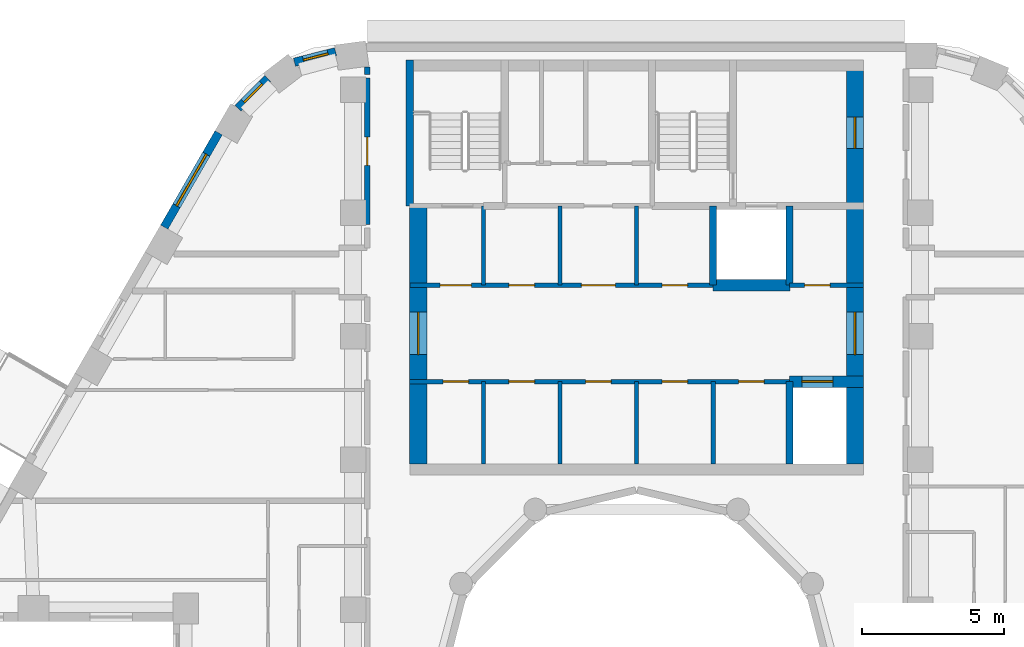
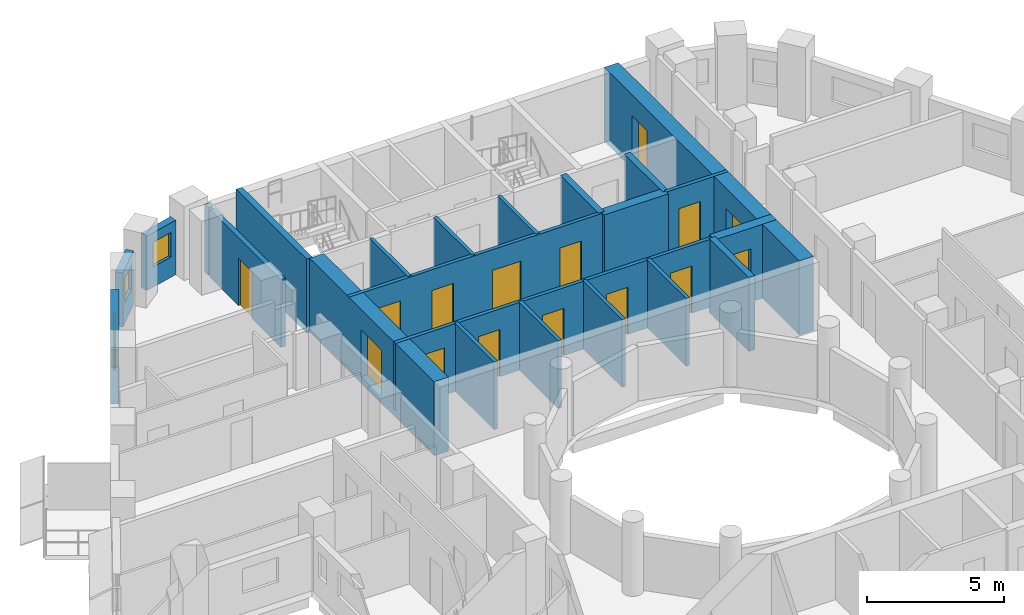
# One storey, part 7 of 13: 23 walls, 15 doors, 3 windows, 18 openings.
"""IFC4 building model written with IfcOpenShell, lengths in metres."""

from ifc_helpers import new_model, si_unit, direction, frame, frame_2d, origin, place, context, subcontext, project, spatial, rectangle, extrude, material, layer, layer_set, type_object, element, fill, save


model = new_model("IFC4")

# Units and contexts
model_context = context("Model", 3, precision=1e-05, world=origin(), true_north=direction((0.0, 1.0)))
body_context = subcontext(model_context, "Body", "Model", "MODEL_VIEW")
ifc_project = project(units=[si_unit("LENGTHUNIT", "METRE"), si_unit("AREAUNIT", "SQUARE_METRE"), si_unit("VOLUMEUNIT", "CUBIC_METRE"), si_unit("PLANEANGLEUNIT", "RADIAN"), si_unit("MASSUNIT", "GRAM", prefix="KILO")], contexts=[model_context])

# Site, building, storey
site_placement = place(None, origin())
site = spatial("IfcSite", under=ifc_project, at=site_placement, CompositionType="ELEMENT")
building_placement = place(site_placement, origin())
building = spatial("IfcBuilding", under=site, at=building_placement, Name="Nakaniwa Court", CompositionType="ELEMENT")
storey_placement = place(building_placement, frame((0.0, 0.0, 246.0)))
storey = spatial("IfcBuildingStorey", under=building, at=storey_placement, Name="L64", CompositionType="ELEMENT", Elevation=246.0)

# Wall, opening, door
ifc_material_1 = material(Name="Acoustic double stud partition")
ifc_layer_1 = layer(ifc_material_1, 0.199951171875)
ifc_layer_set_1 = layer_set([ifc_layer_1], Name="Acoustic double stud partition")
wall_type_1 = type_object("IfcWallType", Name="Acoustic double stud partition 200", PredefinedType="PARTITIONING", material=ifc_layer_set_1)
wall_1_placement = place(storey_placement, frame((70.5, 96.237060546875, 0.0), z_axis=(0.0, 0.0, 1.0), x_axis=(0.0, 1.0, 0.0)))
wall_1 = element("IfcWall", 1, at=wall_1_placement, inside=storey, type_object=wall_type_1, Name="Partition PW-099", PredefinedType="PARTITIONING", context=body_context, shape_type="SweptSolid", body=[
    extrude(rectangle(XDim=5.176025390625, YDim=0.199951171875, at=frame_2d((2.587890625, 0.0))), origin(), (0.0, 0.0, 1.0), 3.02490234375),
])
opening_1_placement = place(wall_1_placement, frame((2.087890625, 0.0, 0.0)))
opening_1 = element("IfcOpeningElement", 2, at=opening_1_placement, cuts=wall_1, Name="Opening D-02-06", PredefinedType="OPENING", context=body_context, shape_type="SweptSolid", body=[
    extrude(rectangle(XDim=1.0, YDim=2.10009765625, at=frame_2d((0.5, 1.050048828125))), frame((0.0, 0.10986328125, 0.0), z_axis=(0.0, -1.0, 0.0), x_axis=(1.0, 0.0, 0.0)), (0.0, 0.0, 1.0), 0.219970703125),
])
ifc_material_2 = material(Name="Solid core timber door set, black veneer", Category="wood")
door_type_1 = type_object("IfcDoorType", Name="Internal door 1000", OperationType="NOTDEFINED", PredefinedType="DOOR", material=ifc_material_2)
door_1_placement = place(opening_1_placement, origin())
door_1 = element("IfcDoor", 3, at=door_1_placement, inside=storey, type_object=door_type_1, Name="Door D-02-06 L64-062", OperationType="SINGLE_SWING_LEFT", OverallHeight=2.10009765625, OverallWidth=1.0, PredefinedType="DOOR", context=body_context, shape_type="SweptSolid", body=[
    extrude(rectangle(XDim=1.0, YDim=2.10009765625, at=frame_2d((0.5, 1.050048828125))), frame((0.0, 0.02490234375, 0.0), z_axis=(0.0, -1.0, 0.0), x_axis=(1.0, 0.0, 0.0)), (0.0, 0.0, 1.0), 0.050048828125),
])
fill(opening_1, door_1)

# Wall
wall_2_placement = place(storey_placement, frame((70.5, 101.527099609375, 0.0), z_axis=(0.0, 0.0, 1.0), x_axis=(0.0, 1.0, 0.0)))
element("IfcWall", 4, at=wall_2_placement, inside=storey, type_object=wall_type_1, Name="Partition PW-100", PredefinedType="PARTITIONING", context=body_context, shape_type="SweptSolid", body=[
    extrude(rectangle(XDim=0.273681640625, YDim=0.199951171875, at=frame_2d((0.13671875, 0.0))), origin(), (0.0, 0.0, 1.0), 3.02490234375),
])

# Wall, opening, window
ifc_material_3 = material(Name="Charcoal ceramic cladding")
ifc_layer_2 = layer(ifc_material_3, 0.02, Name="Ceramic cladding")
ifc_material_4 = material(Name="Ventilated air cavity")
ifc_layer_3 = layer(ifc_material_4, 0.04, ventilated=True, Name="Ventilated cavity")
ifc_material_5 = material(Name="Mineral wool insulation")
ifc_layer_4 = layer(ifc_material_5, 0.1, Name="Insulation")
ifc_material_6 = material(Name="Cement bonded sheathing board")
ifc_layer_5 = layer(ifc_material_6, 0.012, Name="Sheathing")
ifc_material_7 = material(Name="Cold-formed galvanised stud frame with mineral wool infill")
ifc_layer_6 = layer(ifc_material_7, 0.1, Name="Stud frame")
ifc_material_8 = material(Name="Fire-rated gypsum plasterboard lining")
ifc_layer_7 = layer(ifc_material_8, 0.028, Name="Lining")
ifc_layer_set_2 = layer_set([ifc_layer_2, ifc_layer_3, ifc_layer_4, ifc_layer_5, ifc_layer_6, ifc_layer_7], Name="Charcoal ceramic faced external wall system")
wall_type_2 = type_object("IfcWallType", Name="Black ceramic faced external wall 300", PredefinedType="SOLIDWALL", material=ifc_layer_set_2)
wall_3_placement = place(storey_placement, frame((69.386474609375, 102.333251953125, 0.0), z_axis=(0.0, 0.0, 1.0), x_axis=(-0.968895303033, -0.247470991757, 0.0)))
wall_3 = element("IfcWall", 5, at=wall_3_placement, inside=storey, type_object=wall_type_2, Name="L64 external wall 09", PredefinedType="SOLIDWALL", context=body_context, shape_type="SweptSolid", body=[
    extrude(rectangle(XDim=1.50048828125, YDim=0.300048828125, at=frame_2d((0.750244140625, 0.0))), origin(), (0.0, 0.0, 1.0), 2.425048828125),
])
opening_2_placement = place(wall_3_placement, frame((0.27587890625, 0.0, 0.89990234375)))
opening_2 = element("IfcOpeningElement", 6, at=opening_2_placement, cuts=wall_3, Name="Opening W9.09", PredefinedType="OPENING", context=body_context, shape_type="SweptSolid", body=[
    extrude(rectangle(XDim=0.89990234375, YDim=1.10009765625, at=frame_2d((0.449951171875, 0.550048828125))), frame((0.0, 0.159912109375, 0.0), z_axis=(0.0, -1.0, 0.0), x_axis=(1.0, 0.0, 0.0)), (0.0, 0.0, 1.0), 0.320068359375),
])
ifc_material_9 = material(Name="Black anodised aluminium frame with dark low-E laminated double glazing", Category="aluminium")
window_type_1 = type_object("IfcWindowType", Name="Dark glass window 900x1100 sill 900", PartitioningType="SINGLE_PANEL", PredefinedType="WINDOW", material=ifc_material_9)
window_1_placement = place(opening_2_placement, origin())
window_1 = element("IfcWindow", 7, at=window_1_placement, inside=storey, type_object=window_type_1, Name="L64 habitable room window 09-0", OverallHeight=1.10009765625, OverallWidth=0.89990234375, PartitioningType="SINGLE_PANEL", PredefinedType="WINDOW", context=body_context, shape_type="SweptSolid", body=[
    extrude(rectangle(XDim=0.89990234375, YDim=1.10009765625, at=frame_2d((0.449951171875, 0.550048828125))), frame((0.0, 0.030029296875, 0.0), z_axis=(0.0, -1.0, 0.0), x_axis=(1.0, 0.0, 0.0)), (0.0, 0.0, 1.0), 0.06005859375),
])
fill(opening_2, window_1)

wall_4_placement = place(storey_placement, frame((66.99560546875, 101.388427734375, 0.0), z_axis=(0.0, 0.0, 1.0), x_axis=(-0.708589353117, -0.705621094249, 0.0)))
wall_4 = element("IfcWall", 8, at=wall_4_placement, inside=storey, type_object=wall_type_2, Name="L64 external wall 10", PredefinedType="SOLIDWALL", context=body_context, shape_type="SweptSolid", body=[
    extrude(rectangle(XDim=1.48046875, YDim=0.300048828125, at=frame_2d((0.740234375, 0.0))), origin(), (0.0, 0.0, 1.0), 2.425048828125),
])
opening_3_placement = place(wall_4_placement, frame((0.27978515625, 0.0, 0.89990234375)))
opening_3 = element("IfcOpeningElement", 9, at=opening_3_placement, cuts=wall_4, Name="Opening W9.10", PredefinedType="OPENING", context=body_context, shape_type="SweptSolid", body=[
    extrude(rectangle(XDim=0.89990234375, YDim=1.10009765625, at=frame_2d((0.449951171875, 0.550048828125))), frame((0.0, 0.159912109375, 0.0), z_axis=(0.0, -1.0, 0.0), x_axis=(1.0, 0.0, 0.0)), (0.0, 0.0, 1.0), 0.320068359375),
])
window_2_placement = place(opening_3_placement, origin())
window_2 = element("IfcWindow", 10, at=window_2_placement, inside=storey, type_object=window_type_1, Name="L64 habitable room window 10-0", OverallHeight=1.10009765625, OverallWidth=0.89990234375, PartitioningType="SINGLE_PANEL", PredefinedType="WINDOW", context=body_context, shape_type="SweptSolid", body=[
    extrude(rectangle(XDim=0.89990234375, YDim=1.10009765625, at=frame_2d((0.449951171875, 0.550048828125))), frame((0.0, 0.030029296875, 0.0), z_axis=(0.0, -1.0, 0.0), x_axis=(1.0, 0.0, 0.0)), (0.0, 0.0, 1.0), 0.06005859375),
])
fill(opening_3, window_2)

wall_5_placement = place(storey_placement, frame((65.26416015625, 99.476806640625, 0.0), z_axis=(0.0, 0.0, 1.0), x_axis=(-0.499984490703, -0.866034357896, 0.0)))
wall_5 = element("IfcWall", 11, at=wall_5_placement, inside=storey, type_object=wall_type_2, Name="L64 external wall 11", PredefinedType="SOLIDWALL", context=body_context, shape_type="SweptSolid", body=[
    extrude(rectangle(XDim=3.84423828125, YDim=0.300048828125, at=frame_2d((1.922119140625, 0.0))), origin(), (0.0, 0.0, 1.0), 2.425048828125),
])
opening_4_placement = place(wall_5_placement, frame((0.8720703125, 0.0, 0.89990234375)))
opening_4 = element("IfcOpeningElement", 12, at=opening_4_placement, cuts=wall_5, Name="Opening W7.11", PredefinedType="OPENING", context=body_context, shape_type="SweptSolid", body=[
    extrude(rectangle(XDim=2.10009765625, YDim=1.10009765625, at=frame_2d((1.050048828125, 0.550048828125))), frame((0.0, 0.159912109375, 0.0), z_axis=(0.0, -1.0, 0.0), x_axis=(1.0, 0.0, 0.0)), (0.0, 0.0, 1.0), 0.320068359375),
])
window_type_2 = type_object("IfcWindowType", Name="Dark glass window 2100x1100 sill 900", PartitioningType="SINGLE_PANEL", PredefinedType="WINDOW", material=ifc_material_9)
window_3_placement = place(opening_4_placement, origin())
window_3 = element("IfcWindow", 13, at=window_3_placement, inside=storey, type_object=window_type_2, Name="L64 habitable room window 11-0", OverallHeight=1.10009765625, OverallWidth=2.10009765625, PartitioningType="SINGLE_PANEL", PredefinedType="WINDOW", context=body_context, shape_type="SweptSolid", body=[
    extrude(rectangle(XDim=2.10009765625, YDim=1.10009765625, at=frame_2d((1.050048828125, 0.550048828125))), frame((0.0, 0.030029296875, 0.0), z_axis=(0.0, -1.0, 0.0), x_axis=(1.0, 0.0, 0.0)), (0.0, 0.0, 1.0), 0.06005859375),
])
fill(opening_4, window_3)

# Walls
ifc_material_10 = material(Name="Blockwork partition", Category="masonry")
ifc_layer_8 = layer(ifc_material_10, 0.14990234375)
ifc_layer_set_3 = layer_set([ifc_layer_8], Name="Blockwork partition")
wall_type_3 = type_object("IfcWallType", Name="Blockwork partition 150", PredefinedType="PARTITIONING", material=ifc_layer_set_3)
wall_6_placement = place(storey_placement, frame((74.60009765625, 87.800048828125, 0.0), z_axis=(0.0, 0.0, 1.0), x_axis=(0.0, 1.0, 0.0)))
element("IfcWall", 14, at=wall_6_placement, inside=storey, type_object=wall_type_3, Name="Partition PW-001", PredefinedType="PARTITIONING", context=body_context, shape_type="SweptSolid", body=[
    extrude(rectangle(XDim=2.89990234375, YDim=0.14990234375, at=frame_2d((1.449951171875, 0.0))), origin(), (0.0, 0.0, 1.0), 3.02490234375),
])
wall_7_placement = place(storey_placement, frame((74.60009765625, 94.10009765625, 0.0), z_axis=(0.0, 0.0, 1.0), x_axis=(0.0, 1.0, 0.0)))
element("IfcWall", 15, at=wall_7_placement, inside=storey, type_object=wall_type_3, Name="Partition PW-002", PredefinedType="PARTITIONING", context=body_context, shape_type="SweptSolid", body=[
    extrude(rectangle(XDim=2.7998046875, YDim=0.14990234375, at=frame_2d((1.39990234375, 0.0))), origin(), (0.0, 0.0, 1.0), 3.02490234375),
])

# Wall, openings, doors
wall_8_placement = place(storey_placement, frame((85.39990234375, 90.699951171875, 0.0), z_axis=(0.0, 0.0, 1.0), x_axis=(-1.0, 0.0, 0.0)))
wall_8 = element("IfcWall", 16, at=wall_8_placement, inside=storey, type_object=wall_type_3, Name="Partition PW-003", PredefinedType="PARTITIONING", context=body_context, shape_type="SweptSolid", body=[
    extrude(rectangle(XDim=13.39990234375, YDim=0.14990234375, at=frame_2d((6.699951171875, 0.0))), origin(), (0.0, 0.0, 1.0), 3.02490234375),
])
opening_5_placement = place(wall_8_placement, frame((11.324951171875, 0.0, 0.0)))
opening_5 = element("IfcOpeningElement", 17, at=opening_5_placement, cuts=wall_8, Name="Opening D-05-01", PredefinedType="OPENING", context=body_context, shape_type="SweptSolid", body=[
    extrude(rectangle(XDim=0.89990234375, YDim=2.10009765625, at=frame_2d((0.449951171875, 1.050048828125))), frame((0.0, 0.0849609375, 0.0), z_axis=(0.0, -1.0, 0.0), x_axis=(1.0, 0.0, 0.0)), (0.0, 0.0, 1.0), 0.169921875),
])
opening_6_placement = place(wall_8_placement, frame((9.0, 0.0, 0.0)))
opening_6 = element("IfcOpeningElement", 18, at=opening_6_placement, cuts=wall_8, Name="Opening D-05-02", PredefinedType="OPENING", context=body_context, shape_type="SweptSolid", body=[
    extrude(rectangle(XDim=0.89990234375, YDim=2.10009765625, at=frame_2d((0.449951171875, 1.050048828125))), frame((0.0, 0.0849609375, 0.0), z_axis=(0.0, -1.0, 0.0), x_axis=(1.0, 0.0, 0.0)), (0.0, 0.0, 1.0), 0.169921875),
])
opening_7_placement = place(wall_8_placement, frame((6.300048828125, 0.0, 0.0)))
opening_7 = element("IfcOpeningElement", 19, at=opening_7_placement, cuts=wall_8, Name="Opening D-05-03", PredefinedType="OPENING", context=body_context, shape_type="SweptSolid", body=[
    extrude(rectangle(XDim=0.89990234375, YDim=2.10009765625, at=frame_2d((0.449951171875, 1.050048828125))), frame((0.0, 0.0849609375, 0.0), z_axis=(0.0, -1.0, 0.0), x_axis=(1.0, 0.0, 0.0)), (0.0, 0.0, 1.0), 0.169921875),
])
opening_8_placement = place(wall_8_placement, frame((3.60009765625, 0.0, 0.0)))
opening_8 = element("IfcOpeningElement", 20, at=opening_8_placement, cuts=wall_8, Name="Opening D-05-04", PredefinedType="OPENING", context=body_context, shape_type="SweptSolid", body=[
    extrude(rectangle(XDim=0.89990234375, YDim=2.10009765625, at=frame_2d((0.449951171875, 1.050048828125))), frame((0.0, 0.0849609375, 0.0), z_axis=(0.0, -1.0, 0.0), x_axis=(1.0, 0.0, 0.0)), (0.0, 0.0, 1.0), 0.169921875),
])
opening_9_placement = place(wall_8_placement, frame((0.89990234375, 0.0, 0.0)))
opening_9 = element("IfcOpeningElement", 21, at=opening_9_placement, cuts=wall_8, Name="Opening D-05-05", PredefinedType="OPENING", context=body_context, shape_type="SweptSolid", body=[
    extrude(rectangle(XDim=0.89990234375, YDim=2.10009765625, at=frame_2d((0.449951171875, 1.050048828125))), frame((0.0, 0.0849609375, 0.0), z_axis=(0.0, -1.0, 0.0), x_axis=(1.0, 0.0, 0.0)), (0.0, 0.0, 1.0), 0.169921875),
])
ifc_material_11 = material(Name="Fire rated steel door set", Category="steel")
door_type_2 = type_object("IfcDoorType", Name="Service room door 900", OperationType="NOTDEFINED", PredefinedType="DOOR", material=ifc_material_11)
door_2_placement = place(opening_5_placement, origin())
door_2 = element("IfcDoor", 22, at=door_2_placement, inside=storey, type_object=door_type_2, Name="Door D-05-01 L64-001", OperationType="SINGLE_SWING_RIGHT", OverallHeight=2.10009765625, OverallWidth=0.89990234375, PredefinedType="DOOR", context=body_context, shape_type="SweptSolid", body=[
    extrude(rectangle(XDim=0.89990234375, YDim=2.10009765625, at=frame_2d((0.449951171875, 1.050048828125))), frame((0.0, 0.02490234375, 0.0), z_axis=(0.0, -1.0, 0.0), x_axis=(1.0, 0.0, 0.0)), (0.0, 0.0, 1.0), 0.050048828125),
])
fill(opening_5, door_2)
door_3_placement = place(opening_6_placement, origin())
door_3 = element("IfcDoor", 23, at=door_3_placement, inside=storey, type_object=door_type_2, Name="Door D-05-02 L64-002", OperationType="SINGLE_SWING_LEFT", OverallHeight=2.10009765625, OverallWidth=0.89990234375, PredefinedType="DOOR", context=body_context, shape_type="SweptSolid", body=[
    extrude(rectangle(XDim=0.89990234375, YDim=2.10009765625, at=frame_2d((0.449951171875, 1.050048828125))), frame((0.0, 0.02490234375, 0.0), z_axis=(0.0, -1.0, 0.0), x_axis=(1.0, 0.0, 0.0)), (0.0, 0.0, 1.0), 0.050048828125),
])
fill(opening_6, door_3)
door_4_placement = place(opening_7_placement, origin())
door_4 = element("IfcDoor", 24, at=door_4_placement, inside=storey, type_object=door_type_2, Name="Door D-05-03 L64-003", OperationType="SINGLE_SWING_RIGHT", OverallHeight=2.10009765625, OverallWidth=0.89990234375, PredefinedType="DOOR", context=body_context, shape_type="SweptSolid", body=[
    extrude(rectangle(XDim=0.89990234375, YDim=2.10009765625, at=frame_2d((0.449951171875, 1.050048828125))), frame((0.0, 0.02490234375, 0.0), z_axis=(0.0, -1.0, 0.0), x_axis=(1.0, 0.0, 0.0)), (0.0, 0.0, 1.0), 0.050048828125),
])
fill(opening_7, door_4)
door_5_placement = place(opening_8_placement, origin())
door_5 = element("IfcDoor", 25, at=door_5_placement, inside=storey, type_object=door_type_2, Name="Door D-05-04 L64-004", OperationType="SINGLE_SWING_LEFT", OverallHeight=2.10009765625, OverallWidth=0.89990234375, PredefinedType="DOOR", context=body_context, shape_type="SweptSolid", body=[
    extrude(rectangle(XDim=0.89990234375, YDim=2.10009765625, at=frame_2d((0.449951171875, 1.050048828125))), frame((0.0, 0.02490234375, 0.0), z_axis=(0.0, -1.0, 0.0), x_axis=(1.0, 0.0, 0.0)), (0.0, 0.0, 1.0), 0.050048828125),
])
fill(opening_8, door_5)
door_6_placement = place(opening_9_placement, origin())
door_6 = element("IfcDoor", 26, at=door_6_placement, inside=storey, type_object=door_type_2, Name="Door D-05-05 L64-005", OperationType="SINGLE_SWING_RIGHT", OverallHeight=2.10009765625, OverallWidth=0.89990234375, PredefinedType="DOOR", context=body_context, shape_type="SweptSolid", body=[
    extrude(rectangle(XDim=0.89990234375, YDim=2.10009765625, at=frame_2d((0.449951171875, 1.050048828125))), frame((0.0, 0.02490234375, 0.0), z_axis=(0.0, -1.0, 0.0), x_axis=(1.0, 0.0, 0.0)), (0.0, 0.0, 1.0), 0.050048828125),
])
fill(opening_9, door_6)

# Walls
wall_9_placement = place(storey_placement, frame((77.300048828125, 87.800048828125, 0.0), z_axis=(0.0, 0.0, 1.0), x_axis=(0.0, 1.0, 0.0)))
element("IfcWall", 27, at=wall_9_placement, inside=storey, type_object=wall_type_3, Name="Partition PW-009", PredefinedType="PARTITIONING", context=body_context, shape_type="SweptSolid", body=[
    extrude(rectangle(XDim=2.89990234375, YDim=0.14990234375, at=frame_2d((1.449951171875, 0.0))), origin(), (0.0, 0.0, 1.0), 3.02490234375),
])
wall_10_placement = place(storey_placement, frame((77.300048828125, 94.10009765625, 0.0), z_axis=(0.0, 0.0, 1.0), x_axis=(0.0, 1.0, 0.0)))
element("IfcWall", 28, at=wall_10_placement, inside=storey, type_object=wall_type_3, Name="Partition PW-010", PredefinedType="PARTITIONING", context=body_context, shape_type="SweptSolid", body=[
    extrude(rectangle(XDim=2.7998046875, YDim=0.14990234375, at=frame_2d((1.39990234375, 0.0))), origin(), (0.0, 0.0, 1.0), 3.02490234375),
])
wall_11_placement = place(storey_placement, frame((80.0, 87.800048828125, 0.0), z_axis=(0.0, 0.0, 1.0), x_axis=(0.0, 1.0, 0.0)))
element("IfcWall", 29, at=wall_11_placement, inside=storey, type_object=wall_type_3, Name="Partition PW-011", PredefinedType="PARTITIONING", context=body_context, shape_type="SweptSolid", body=[
    extrude(rectangle(XDim=2.89990234375, YDim=0.14990234375, at=frame_2d((1.449951171875, 0.0))), origin(), (0.0, 0.0, 1.0), 3.02490234375),
])
wall_12_placement = place(storey_placement, frame((80.0, 94.10009765625, 0.0), z_axis=(0.0, 0.0, 1.0), x_axis=(0.0, 1.0, 0.0)))
element("IfcWall", 30, at=wall_12_placement, inside=storey, type_object=wall_type_3, Name="Partition PW-012", PredefinedType="PARTITIONING", context=body_context, shape_type="SweptSolid", body=[
    extrude(rectangle(XDim=2.7998046875, YDim=0.14990234375, at=frame_2d((1.39990234375, 0.0))), origin(), (0.0, 0.0, 1.0), 3.02490234375),
])
wall_13_placement = place(storey_placement, frame((82.699951171875, 87.800048828125, 0.0), z_axis=(0.0, 0.0, 1.0), x_axis=(0.0, 1.0, 0.0)))
element("IfcWall", 31, at=wall_13_placement, inside=storey, type_object=wall_type_3, Name="Partition PW-013", PredefinedType="PARTITIONING", context=body_context, shape_type="SweptSolid", body=[
    extrude(rectangle(XDim=2.89990234375, YDim=0.14990234375, at=frame_2d((1.449951171875, 0.0))), origin(), (0.0, 0.0, 1.0), 3.02490234375),
])

# Wall, openings, doors
wall_14_placement = place(storey_placement, frame((72.0, 94.10009765625, 0.0), z_axis=(0.0, 0.0, 1.0), x_axis=(1.0, 0.0, 0.0)))
wall_14 = element("IfcWall", 32, at=wall_14_placement, inside=storey, type_object=wall_type_3, Name="Partition PW-014", PredefinedType="PARTITIONING", context=body_context, shape_type="SweptSolid", body=[
    extrude(rectangle(XDim=10.702880859375, YDim=0.14990234375, at=frame_2d((5.3515625, 0.0))), origin(), (0.0, 0.0, 1.0), 3.02490234375),
])
opening_10_placement = place(wall_14_placement, frame((1.074951171875, 0.0, 0.0)))
opening_10 = element("IfcOpeningElement", 33, at=opening_10_placement, cuts=wall_14, Name="Opening D-08-01", PredefinedType="OPENING", context=body_context, shape_type="SweptSolid", body=[
    extrude(rectangle(XDim=1.10009765625, YDim=2.10009765625, at=frame_2d((0.550048828125, 1.050048828125))), frame((0.0, 0.0849609375, 0.0), z_axis=(0.0, -1.0, 0.0), x_axis=(1.0, 0.0, 0.0)), (0.0, 0.0, 1.0), 0.169921875),
])
opening_11_placement = place(wall_14_placement, frame((3.5, 0.0, 0.0)))
opening_11 = element("IfcOpeningElement", 34, at=opening_11_placement, cuts=wall_14, Name="Opening D-05-06", PredefinedType="OPENING", context=body_context, shape_type="SweptSolid", body=[
    extrude(rectangle(XDim=0.89990234375, YDim=2.10009765625, at=frame_2d((0.449951171875, 1.050048828125))), frame((0.0, 0.0849609375, 0.0), z_axis=(0.0, -1.0, 0.0), x_axis=(1.0, 0.0, 0.0)), (0.0, 0.0, 1.0), 0.169921875),
])
opening_12_placement = place(wall_14_placement, frame((6.050048828125, 0.0, 0.0)))
opening_12 = element("IfcOpeningElement", 35, at=opening_12_placement, cuts=wall_14, Name="Opening D-06-01", PredefinedType="OPENING", context=body_context, shape_type="SweptSolid", body=[
    extrude(rectangle(XDim=1.199951171875, YDim=2.10009765625, at=frame_2d((0.60009765625, 1.050048828125))), frame((0.0, 0.0849609375, 0.0), z_axis=(0.0, -1.0, 0.0), x_axis=(1.0, 0.0, 0.0)), (0.0, 0.0, 1.0), 0.169921875),
])
opening_13_placement = place(wall_14_placement, frame((8.89990234375, 0.0, 0.0)))
opening_13 = element("IfcOpeningElement", 36, at=opening_13_placement, cuts=wall_14, Name="Opening D-05-07", PredefinedType="OPENING", context=body_context, shape_type="SweptSolid", body=[
    extrude(rectangle(XDim=0.89990234375, YDim=2.10009765625, at=frame_2d((0.449951171875, 1.050048828125))), frame((0.0, 0.0849609375, 0.0), z_axis=(0.0, -1.0, 0.0), x_axis=(1.0, 0.0, 0.0)), (0.0, 0.0, 1.0), 0.169921875),
])
ifc_material_12 = material(Name="Fire rated steel double door set", Category="steel")
door_type_3 = type_object("IfcDoorType", Name="Service passage double door 1200", OperationType="NOTDEFINED", PredefinedType="DOOR", material=ifc_material_12)
door_7_placement = place(opening_12_placement, origin())
door_7 = element("IfcDoor", 37, at=door_7_placement, inside=storey, type_object=door_type_3, Name="Door D-06-01 L64-008", OperationType="DOUBLE_DOOR_SINGLE_SWING", OverallHeight=2.10009765625, OverallWidth=1.199951171875, PredefinedType="DOOR", context=body_context, shape_type="SweptSolid", body=[
    extrude(rectangle(XDim=1.199951171875, YDim=2.10009765625, at=frame_2d((0.60009765625, 1.050048828125))), frame((0.0, 0.02490234375, 0.0), z_axis=(0.0, -1.0, 0.0), x_axis=(1.0, 0.0, 0.0)), (0.0, 0.0, 1.0), 0.050048828125),
])
fill(opening_12, door_7)
door_8_placement = place(opening_11_placement, origin())
door_8 = element("IfcDoor", 38, at=door_8_placement, inside=storey, type_object=door_type_2, Name="Door D-05-06 L64-007", OperationType="SINGLE_SWING_RIGHT", OverallHeight=2.10009765625, OverallWidth=0.89990234375, PredefinedType="DOOR", context=body_context, shape_type="SweptSolid", body=[
    extrude(rectangle(XDim=0.89990234375, YDim=2.10009765625, at=frame_2d((0.449951171875, 1.050048828125))), frame((0.0, 0.02490234375, 0.0), z_axis=(0.0, -1.0, 0.0), x_axis=(1.0, 0.0, 0.0)), (0.0, 0.0, 1.0), 0.050048828125),
])
fill(opening_11, door_8)
door_9_placement = place(opening_13_placement, origin())
door_9 = element("IfcDoor", 39, at=door_9_placement, inside=storey, type_object=door_type_2, Name="Door D-05-07 L64-009", OperationType="SINGLE_SWING_RIGHT", OverallHeight=2.10009765625, OverallWidth=0.89990234375, PredefinedType="DOOR", context=body_context, shape_type="SweptSolid", body=[
    extrude(rectangle(XDim=0.89990234375, YDim=2.10009765625, at=frame_2d((0.449951171875, 1.050048828125))), frame((0.0, 0.02490234375, 0.0), z_axis=(0.0, -1.0, 0.0), x_axis=(1.0, 0.0, 0.0)), (0.0, 0.0, 1.0), 0.050048828125),
])
fill(opening_13, door_9)
door_type_4 = type_object("IfcDoorType", Name="Stair lobby door 1100", OperationType="NOTDEFINED", PredefinedType="DOOR", material=ifc_material_11)
door_10_placement = place(opening_10_placement, origin())
door_10 = element("IfcDoor", 40, at=door_10_placement, inside=storey, type_object=door_type_4, Name="Door D-08-01 L64-006", OperationType="SINGLE_SWING_LEFT", OverallHeight=2.10009765625, OverallWidth=1.10009765625, PredefinedType="DOOR", context=body_context, shape_type="SweptSolid", body=[
    extrude(rectangle(XDim=1.10009765625, YDim=2.10009765625, at=frame_2d((0.550048828125, 1.050048828125))), frame((0.0, 0.02490234375, 0.0), z_axis=(0.0, -1.0, 0.0), x_axis=(1.0, 0.0, 0.0)), (0.0, 0.0, 1.0), 0.050048828125),
])
fill(opening_10, door_10)

# Wall, opening, door
wall_15_placement = place(storey_placement, frame((85.39697265625, 94.10009765625, 0.0), z_axis=(0.0, 0.0, 1.0), x_axis=(1.0, 0.0, 0.0)))
wall_15 = element("IfcWall", 41, at=wall_15_placement, inside=storey, type_object=wall_type_3, Name="Partition PW-015", PredefinedType="PARTITIONING", context=body_context, shape_type="SweptSolid", body=[
    extrude(rectangle(XDim=2.60302734375, YDim=0.14990234375, at=frame_2d((1.301513671875, 0.0))), origin(), (0.0, 0.0, 1.0), 3.02490234375),
])
opening_14_placement = place(wall_15_placement, frame((0.528076171875, 0.0, 0.0)))
opening_14 = element("IfcOpeningElement", 42, at=opening_14_placement, cuts=wall_15, Name="Opening D-05-08", PredefinedType="OPENING", context=body_context, shape_type="SweptSolid", body=[
    extrude(rectangle(XDim=0.89990234375, YDim=2.10009765625, at=frame_2d((0.449951171875, 1.050048828125))), frame((0.0, 0.0849609375, 0.0), z_axis=(0.0, -1.0, 0.0), x_axis=(1.0, 0.0, 0.0)), (0.0, 0.0, 1.0), 0.169921875),
])
door_11_placement = place(opening_14_placement, origin())
door_11 = element("IfcDoor", 43, at=door_11_placement, inside=storey, type_object=door_type_2, Name="Door D-05-08 L64-010", OperationType="SINGLE_SWING_LEFT", OverallHeight=2.10009765625, OverallWidth=0.89990234375, PredefinedType="DOOR", context=body_context, shape_type="SweptSolid", body=[
    extrude(rectangle(XDim=0.89990234375, YDim=2.10009765625, at=frame_2d((0.449951171875, 1.050048828125))), frame((0.0, 0.02490234375, 0.0), z_axis=(0.0, -1.0, 0.0), x_axis=(1.0, 0.0, 0.0)), (0.0, 0.0, 1.0), 0.050048828125),
])
fill(opening_14, door_11)

ifc_material_13 = material(Name="Concrete C80/100", Category="concrete")
ifc_layer_9 = layer(ifc_material_13, 0.60009765625)
ifc_layer_set_4 = layer_set([ifc_layer_9], Name="Concrete C80/100")
wall_type_4 = type_object("IfcWallType", Name="Concrete core side wall 600 C80", PredefinedType="SHEAR", material=ifc_layer_set_4)
wall_16_placement = place(storey_placement, frame((72.300048828125, 87.800048828125, -0.27490234375), z_axis=(0.0, 0.0, 1.0), x_axis=(0.0, 1.0, 0.0)))
wall_16 = element("IfcWall", 44, at=wall_16_placement, inside=storey, type_object=wall_type_4, Name="Core wall SW-04", PredefinedType="SHEAR", context=body_context, shape_type="SweptSolid", body=[
    extrude(rectangle(XDim=9.099853515625, YDim=0.60009765625, at=frame_2d((4.5498046875, 0.0))), origin(), (0.0, 0.0, 1.0), 3.2998046875),
])
opening_15_placement = place(wall_16_placement, frame((3.85009765625, 0.0, 0.27490234375)))
opening_15 = element("IfcOpeningElement", 45, at=opening_15_placement, cuts=wall_16, Name="Opening D-07-02", PredefinedType="OPENING", context=body_context, shape_type="SweptSolid", body=[
    extrude(rectangle(XDim=1.5, YDim=2.10009765625, at=frame_2d((0.75, 1.050048828125))), frame((0.0, 0.31005859375, 0.0), z_axis=(0.0, -1.0, 0.0), x_axis=(1.0, 0.0, 0.0)), (0.0, 0.0, 1.0), 0.6201171875),
])
ifc_material_14 = material(Name="Glazed fire rated steel double door set", Category="steel")
door_type_5 = type_object("IfcDoorType", Name="Lobby double door 1500", OperationType="NOTDEFINED", PredefinedType="DOOR", material=ifc_material_14)
door_12_placement = place(opening_15_placement, origin())
door_12 = element("IfcDoor", 46, at=door_12_placement, inside=storey, type_object=door_type_5, Name="Door D-07-02 L64-064", OperationType="DOUBLE_DOOR_SINGLE_SWING", OverallHeight=2.10009765625, OverallWidth=1.5, PredefinedType="DOOR", context=body_context, shape_type="SweptSolid", body=[
    extrude(rectangle(XDim=1.5, YDim=2.10009765625, at=frame_2d((0.75, 1.050048828125))), frame((0.0, 0.02490234375, 0.0), z_axis=(0.0, -1.0, 0.0), x_axis=(1.0, 0.0, 0.0)), (0.0, 0.0, 1.0), 0.050048828125),
])
fill(opening_15, door_12)

# Wall, openings, doors
wall_17_placement = place(storey_placement, frame((87.699951171875, 102.050048828125, -0.27490234375), z_axis=(0.0, 0.0, 1.0), x_axis=(0.0, -1.0, 0.0)))
wall_17 = element("IfcWall", 47, at=wall_17_placement, inside=storey, type_object=wall_type_4, Name="Core wall SW-08", PredefinedType="SHEAR", context=body_context, shape_type="SweptSolid", body=[
    extrude(rectangle(XDim=14.25, YDim=0.60009765625, at=frame_2d((7.125, 0.0))), origin(), (0.0, 0.0, 1.0), 3.2998046875),
])
opening_16_placement = place(wall_17_placement, frame((8.89990234375, 0.0, 0.27490234375)))
opening_16 = element("IfcOpeningElement", 48, at=opening_16_placement, cuts=wall_17, Name="Opening D-07-01", PredefinedType="OPENING", context=body_context, shape_type="SweptSolid", body=[
    extrude(rectangle(XDim=1.5, YDim=2.10009765625, at=frame_2d((0.75, 1.050048828125))), frame((0.0, 0.31005859375, 0.0), z_axis=(0.0, -1.0, 0.0), x_axis=(1.0, 0.0, 0.0)), (0.0, 0.0, 1.0), 0.6201171875),
])
opening_17_placement = place(wall_17_placement, frame((2.02490234375, 0.0, 0.27490234375)))
opening_17 = element("IfcOpeningElement", 49, at=opening_17_placement, cuts=wall_17, Name="Opening D-10-01", PredefinedType="OPENING", context=body_context, shape_type="SweptSolid", body=[
    extrude(rectangle(XDim=1.10009765625, YDim=2.10009765625, at=frame_2d((0.550048828125, 1.050048828125))), frame((0.0, 0.31005859375, 0.0), z_axis=(0.0, -1.0, 0.0), x_axis=(1.0, 0.0, 0.0)), (0.0, 0.0, 1.0), 0.6201171875),
])
door_type_6 = type_object("IfcDoorType", Name="Firefighting lobby door 1100", OperationType="NOTDEFINED", PredefinedType="DOOR", material=ifc_material_11)
door_13_placement = place(opening_17_placement, origin())
door_13 = element("IfcDoor", 50, at=door_13_placement, inside=storey, type_object=door_type_6, Name="Door D-10-01 L64-065", OperationType="SINGLE_SWING_RIGHT", OverallHeight=2.10009765625, OverallWidth=1.10009765625, PredefinedType="DOOR", context=body_context, shape_type="SweptSolid", body=[
    extrude(rectangle(XDim=1.10009765625, YDim=2.10009765625, at=frame_2d((0.550048828125, 1.050048828125))), frame((0.0, 0.02490234375, 0.0), z_axis=(0.0, -1.0, 0.0), x_axis=(1.0, 0.0, 0.0)), (0.0, 0.0, 1.0), 0.050048828125),
])
fill(opening_17, door_13)
door_14_placement = place(opening_16_placement, origin())
door_14 = element("IfcDoor", 51, at=door_14_placement, inside=storey, type_object=door_type_5, Name="Door D-07-01 L64-063", OperationType="DOUBLE_DOOR_SINGLE_SWING", OverallHeight=2.10009765625, OverallWidth=1.5, PredefinedType="DOOR", context=body_context, shape_type="SweptSolid", body=[
    extrude(rectangle(XDim=1.5, YDim=2.10009765625, at=frame_2d((0.75, 1.050048828125))), frame((0.0, 0.02490234375, 0.0), z_axis=(0.0, -1.0, 0.0), x_axis=(1.0, 0.0, 0.0)), (0.0, 0.0, 1.0), 0.050048828125),
])
fill(opening_16, door_14)

# Wall, opening, door
ifc_layer_10 = layer(ifc_material_13, 0.39990234375)
ifc_layer_set_5 = layer_set([ifc_layer_10], Name="Concrete C80/100")
wall_type_5 = type_object("IfcWallType", Name="Concrete core spine wall 400 C80", PredefinedType="SHEAR", material=ifc_layer_set_5)
wall_18_placement = place(storey_placement, frame((85.39990234375, 90.699951171875, -0.27490234375), z_axis=(0.0, 0.0, 1.0), x_axis=(1.0, 0.0, 0.0)))
wall_18 = element("IfcWall", 52, at=wall_18_placement, inside=storey, type_object=wall_type_5, Name="Core wall SW-07", PredefinedType="SHEAR", context=body_context, shape_type="SweptSolid", body=[
    extrude(rectangle(XDim=2.60009765625, YDim=0.39990234375, at=frame_2d((1.300048828125, 0.0))), origin(), (0.0, 0.0, 1.0), 3.2998046875),
])
opening_18_placement = place(wall_18_placement, frame((0.425048828125, 0.0, 0.27490234375)))
opening_18 = element("IfcOpeningElement", 53, at=opening_18_placement, cuts=wall_18, Name="Opening LD01", PredefinedType="OPENING", context=body_context, shape_type="SweptSolid", body=[
    extrude(rectangle(XDim=1.10009765625, YDim=2.10009765625, at=frame_2d((0.550048828125, 1.050048828125))), frame((0.0, 0.2099609375, 0.0), z_axis=(0.0, -1.0, 0.0), x_axis=(1.0, 0.0, 0.0)), (0.0, 0.0, 1.0), 0.419921875),
])
ifc_material_15 = material(Name="Stainless steel sliding lift landing door", Category="steel")
door_type_7 = type_object("IfcDoorType", Name="Lift landing door 1100", OperationType="NOTDEFINED", PredefinedType="DOOR", material=ifc_material_15)
door_15_placement = place(opening_18_placement, origin())
door_15 = element("IfcDoor", 54, at=door_15_placement, inside=storey, type_object=door_type_7, Name="Lift landing door LD01 L64-001", OperationType="SLIDING_TO_LEFT", OverallHeight=2.10009765625, OverallWidth=1.10009765625, PredefinedType="DOOR", context=body_context, shape_type="SweptSolid", body=[
    extrude(rectangle(XDim=1.10009765625, YDim=2.10009765625, at=frame_2d((0.550048828125, 1.050048828125))), frame((0.0, 0.02490234375, 0.0), z_axis=(0.0, -1.0, 0.0), x_axis=(1.0, 0.0, 0.0)), (0.0, 0.0, 1.0), 0.050048828125),
])
fill(opening_18, door_15)

# Walls
wall_19_placement = place(storey_placement, frame((82.697021484375, 94.10009765625, -0.27490234375), z_axis=(0.0, 0.0, 1.0), x_axis=(1.0, 0.0, 0.0)))
element("IfcWall", 55, at=wall_19_placement, inside=storey, type_object=wall_type_5, Name="Core wall SW-16", PredefinedType="SHEAR", context=body_context, shape_type="SweptSolid", body=[
    extrude(rectangle(XDim=2.7060546875, YDim=0.39990234375, at=frame_2d((1.35302734375, 0.0))), origin(), (0.0, 0.0, 1.0), 3.2998046875),
])
ifc_layer_11 = layer(ifc_material_13, 0.25)
ifc_layer_set_6 = layer_set([ifc_layer_11], Name="Concrete C80/100")
wall_type_6 = type_object("IfcWallType", Name="Concrete core wall 250 C80", PredefinedType="SHEAR", material=ifc_layer_set_6)
wall_20_placement = place(storey_placement, frame((72.0, 96.89990234375, -0.27490234375), z_axis=(0.0, 0.0, 1.0), x_axis=(0.0, 1.0, 0.0)))
element("IfcWall", 56, at=wall_20_placement, inside=storey, type_object=wall_type_6, Name="Core wall SW-24", PredefinedType="SHEAR", context=body_context, shape_type="SweptSolid", body=[
    extrude(rectangle(XDim=5.150146484375, YDim=0.25, at=frame_2d((2.5751953125, 0.0))), origin(), (0.0, 0.0, 1.0), 3.2998046875),
])
ifc_layer_12 = layer(ifc_material_13, 0.25)
ifc_layer_set_7 = layer_set([ifc_layer_12], Name="Concrete C80/100")
wall_type_7 = type_object("IfcWallType", Name="Concrete shaft wall 250 C80", PredefinedType="SHEAR", material=ifc_layer_set_7)
wall_21_placement = place(storey_placement, frame((85.39990234375, 87.800048828125, -0.27490234375), z_axis=(0.0, 0.0, 1.0), x_axis=(0.0, 1.0, 0.0)))
element("IfcWall", 57, at=wall_21_placement, inside=storey, type_object=wall_type_7, Name="Core wall SW-05", PredefinedType="SHEAR", context=body_context, shape_type="SweptSolid", body=[
    extrude(rectangle(XDim=2.89990234375, YDim=0.25, at=frame_2d((1.449951171875, 0.0))), origin(), (0.0, 0.0, 1.0), 3.2998046875),
])
for number, where, z_axis, x_axis, name in (
    (58, (85.39990234375, 94.10009765625, -0.27490234375), (0.0, 0.0, 1.0), (0.0, 1.0, 0.0), "Core wall SW-06"),
    (59, (82.699951171875, 94.10009765625, -0.27490234375), (0.0, 0.0, 1.0), (0.0, 1.0, 0.0), "Core wall SW-21"),
):
    element("IfcWall", number, at=place(storey_placement, frame(where, z_axis=z_axis, x_axis=x_axis)), inside=storey, type_object=wall_type_7, Name=name, PredefinedType="SHEAR", context=body_context, shape_type="SweptSolid", body=[
        extrude(rectangle(XDim=2.7998046875, YDim=0.25, at=frame_2d((1.39990234375, 0.0))), origin(), (0.0, 0.0, 1.0), 3.2998046875),
    ])

save(model, "model.ifc")
